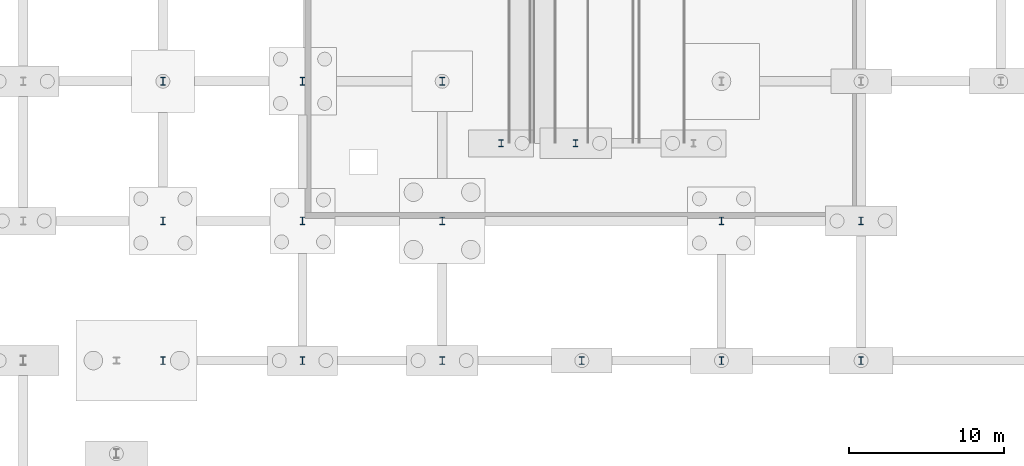
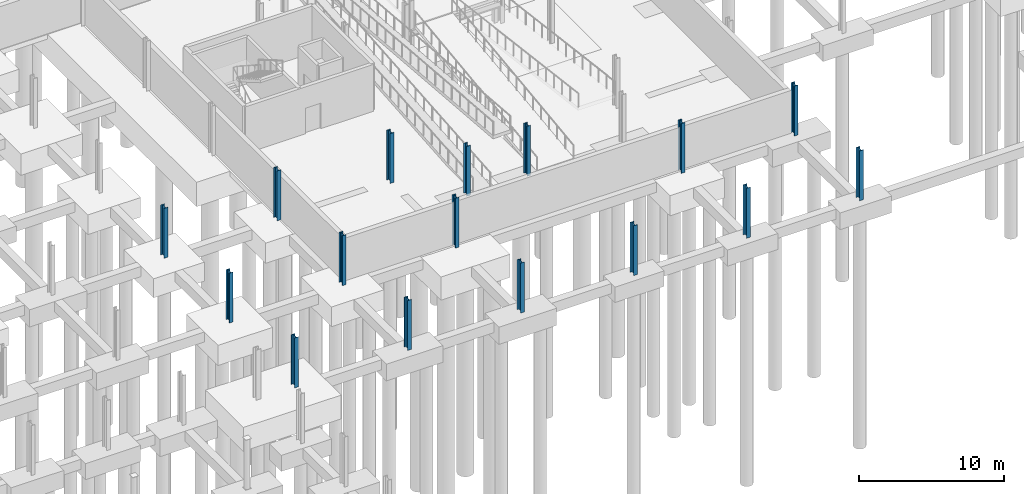
# One storey, part 15 of 42: 16 columns.
"""IFC4 building model written with IfcOpenShell, lengths in metres."""

from ifc_helpers import new_model, si_unit, direction, frame, origin, origin_2d, place, context, subcontext, project, spatial, i_section, extrude, material, material_profile, profile_set, type_object, element, save


model = new_model("IFC4")

# Units and contexts
model_context = context("Model", 3, precision=1e-05, world=origin(), true_north=direction((0.0, 1.0)))
body_context = subcontext(model_context, "Body", "Model", "MODEL_VIEW")
ifc_project = project(units=[si_unit("LENGTHUNIT", "METRE"), si_unit("AREAUNIT", "SQUARE_METRE"), si_unit("VOLUMEUNIT", "CUBIC_METRE"), si_unit("PLANEANGLEUNIT", "RADIAN"), si_unit("MASSUNIT", "GRAM", prefix="KILO")], contexts=[model_context])

# Site, building, storey
site_placement = place(None, origin())
site = spatial("IfcSite", under=ifc_project, at=site_placement, CompositionType="ELEMENT")
building_placement = place(site_placement, origin())
building = spatial("IfcBuilding", under=site, at=building_placement, Name="Deido Ridge Mobility Hub", CompositionType="ELEMENT")
storey_placement = place(building_placement, frame((0.0, 0.0, -4.199951171875)))
storey = spatial("IfcBuildingStorey", under=building, at=storey_placement, Name="B1", CompositionType="ELEMENT", Elevation=-4.199951171875)

# Columns
ifc_material = material(Name="Steel S355J2 EN 10025-2", Category="steel")
ifc_material_profile_1 = material_profile(ifc_material, i_section(OverallWidth=0.300048828125, OverallDepth=0.449951171875, WebThickness=0.013916015625, FlangeThickness=0.02587890625, FilletRadius=0.027099609375, at=origin_2d()), Name="HEB 450")
ifc_profile_set_1 = profile_set([ifc_material_profile_1], Name="Steel S355J2 EN 10025-2")
column_type_1 = type_object("IfcColumnType", Name="COL-HEB450", PredefinedType="COLUMN", material=ifc_profile_set_1)
for number, where, z_axis, x_axis, name in (
    (1, (84.800048828125, 50.0, 0.0), (0.0, 0.0, 1.0), (1.0, 0.0, 0.0), "Structural column C6"),
    (2, (89.60009765625, 50.0, 0.0), (0.0, 0.0, 1.0), (1.0, 0.0, 0.0), "Structural column C6"),
):
    element("IfcColumn", number, at=place(storey_placement, frame(where, z_axis=z_axis, x_axis=x_axis)), inside=storey, type_object=column_type_1, Name=name, PredefinedType="COLUMN", context=body_context, shape_type="SweptSolid", body=[
        extrude(i_section(OverallWidth=0.300048828125, OverallDepth=0.449951171875, WebThickness=0.013916015625, FlangeThickness=0.02587890625, FilletRadius=0.027099609375, at=origin_2d()), origin(), (0.0, 0.0, 1.0), 4.199951171875),
    ])
ifc_material_profile_2 = material_profile(ifc_material, i_section(OverallWidth=0.300048828125, OverallDepth=0.5, WebThickness=0.014404296875, FlangeThickness=0.028076171875, FilletRadius=0.027099609375, at=origin_2d()), Name="HEB 500")
ifc_profile_set_2 = profile_set([ifc_material_profile_2], Name="Steel S355J2 EN 10025-2")
column_type_2 = type_object("IfcColumnType", Name="COL-HEB500", PredefinedType="COLUMN", material=ifc_profile_set_2)
for number, where, z_axis, x_axis, name in (
    (3, (72.0, 45.0, 0.0), (0.0, 0.0, 1.0), (1.0, 0.0, 0.0), "Structural column C5"),
    (4, (72.0, 54.0, 0.0), (0.0, 0.0, 1.0), (1.0, 0.0, 0.0), "Structural column C5"),
    (5, (81.0, 45.0, 0.0), (0.0, 0.0, 1.0), (1.0, 0.0, 0.0), "Structural column C5"),
    (6, (81.0, 54.0, 0.0), (0.0, 0.0, 1.0), (1.0, 0.0, 0.0), "Structural column C5"),
    (7, (99.0, 45.0, 0.0), (0.0, 0.0, 1.0), (1.0, 0.0, 0.0), "Structural column C5"),
    (8, (108.0, 45.0, 0.0), (0.0, 0.0, 1.0), (1.0, 0.0, 0.0), "Structural column C5"),
    (9, (63.0, 54.0, 0.0), (0.0, 0.0, 1.0), (1.0, 0.0, 0.0), "Structural column C5"),
    (10, (63.0, 36.0, 0.0), (0.0, 0.0, 1.0), (1.0, 0.0, 0.0), "Structural column C5"),
    (11, (63.0, 45.0, 0.0), (0.0, 0.0, 1.0), (1.0, 0.0, 0.0), "Structural column C5"),
    (12, (72.0, 36.0, 0.0), (0.0, 0.0, 1.0), (1.0, 0.0, 0.0), "Structural column C5"),
    (13, (81.0, 36.0, 0.0), (0.0, 0.0, 1.0), (1.0, 0.0, 0.0), "Structural column C5"),
    (14, (90.0, 36.0, 0.0), (0.0, 0.0, 1.0), (1.0, 0.0, 0.0), "Structural column C5"),
    (15, (99.0, 36.0, 0.0), (0.0, 0.0, 1.0), (1.0, 0.0, 0.0), "Structural column C5"),
    (16, (108.0, 36.0, 0.0), (0.0, 0.0, 1.0), (1.0, 0.0, 0.0), "Structural column C5"),
):
    element("IfcColumn", number, at=place(storey_placement, frame(where, z_axis=z_axis, x_axis=x_axis)), inside=storey, type_object=column_type_2, Name=name, PredefinedType="COLUMN", context=body_context, shape_type="SweptSolid", body=[
        extrude(i_section(OverallWidth=0.300048828125, OverallDepth=0.5, WebThickness=0.014404296875, FlangeThickness=0.028076171875, FilletRadius=0.027099609375, at=origin_2d()), origin(), (0.0, 0.0, 1.0), 4.199951171875),
    ])

save(model, "model.ifc")
